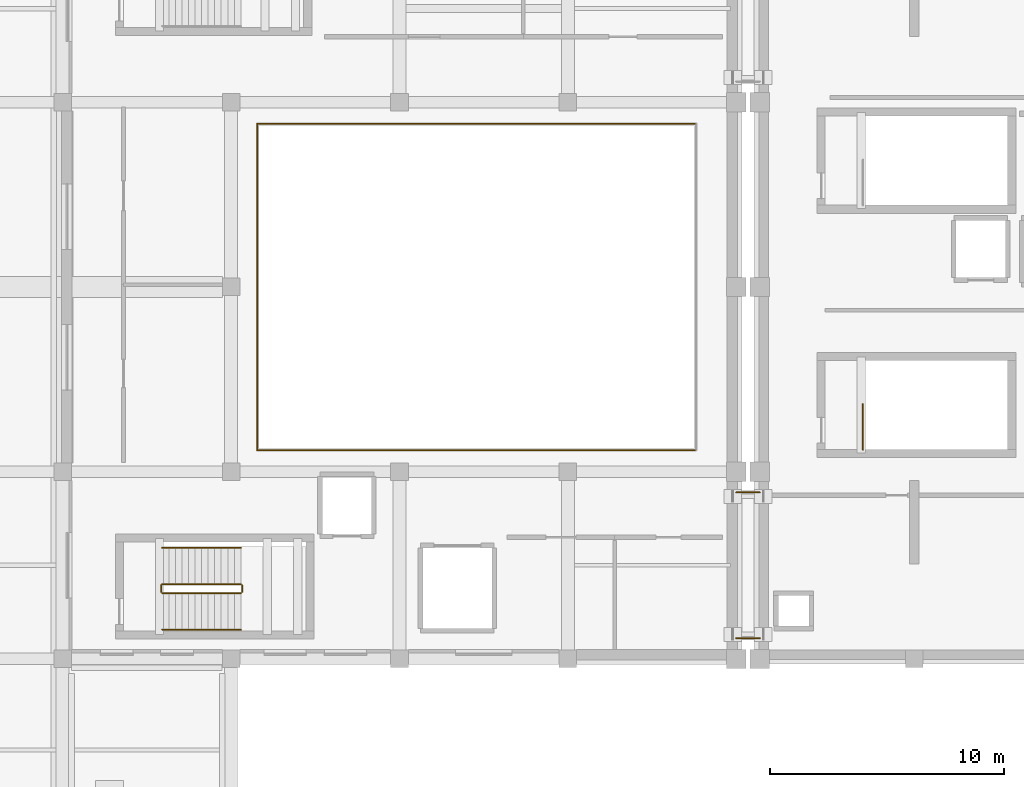
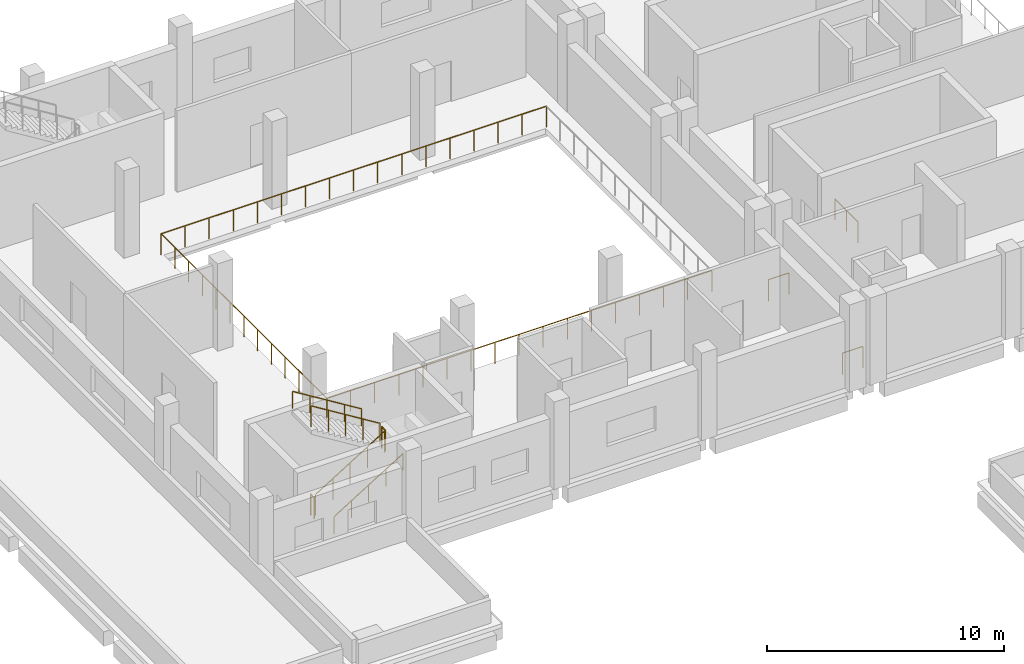
# One storey, part 20 of 23: 12 railings.
"""IFC4 building model written with IfcOpenShell, lengths in metres."""

import ifcopenshell
import ifcopenshell.guid

model = None  # the IFC model being written
_history = None  # IfcOwnerHistory: only IFC2X3 demands one
_inside = {}  # id of a spatial element -> (the spatial element, [elements in it])
_under = {}  # id of a project, library or spatial element -> (it, [spatial elements below it])
_declared = {}  # id of a project -> (the project, [libraries it declares])
_typed = {}  # id of a type object -> (the type object, [elements of that type])
_made_of = {}  # id of a material, layer set ... -> (it, [elements and type objects made of it])


def new_model(schema):
    """Start an empty IFC model of exactly this schema.

    Asked for "IFC4X3", IfcOpenShell would pick the latest addendum, in which some entities
    have other attributes; the version numbers below select the first issue.
    IFC2X3 requires an IfcOwnerHistory on every rooted entity: one is made here for all.
    """
    global model, _history
    if schema == "IFC4X3":
        model = ifcopenshell.file(schema_version=(4, 3, 0, 0))
    else:
        model = ifcopenshell.file(schema=schema)
    _inside.clear()
    _under.clear()
    _declared.clear()
    _typed.clear()
    _made_of.clear()
    _history = None
    if model.schema == "IFC2X3":
        org = make("IfcOrganization", Name="unknown")
        user = make(
            "IfcPersonAndOrganization",
            ThePerson=make("IfcPerson", FamilyName="unknown"),
            TheOrganization=org,
        )
        app = make(
            "IfcApplication",
            ApplicationDeveloper=org,
            Version="unknown",
            ApplicationFullName="unknown",
            ApplicationIdentifier="unknown",
        )
        _history = make(
            "IfcOwnerHistory",
            OwningUser=user,
            OwningApplication=app,
            ChangeAction="ADDED",
            CreationDate=0,
        )
    return model


def make(cls, **values):
    """One entity of the class cls with the attributes given. An attribute that is None is left unset."""
    return model.create_entity(
        cls, **{name: value for name, value in values.items() if value is not None}
    )


def rooted(cls, **values):
    """An entity with a GlobalId (a new one), such as an element, a storey or a relation."""
    return make(cls, GlobalId=ifcopenshell.guid.new(), OwnerHistory=_history, **values)


def si_unit(unit_type, name, prefix=None):
    """IfcSIUnit, for example si_unit("LENGTHUNIT", "METRE", prefix="MILLI")."""
    return make("IfcSIUnit", UnitType=unit_type, Prefix=prefix, Name=name)


def assignment(units):
    """IfcUnitAssignment: the units of a project."""
    return None if units is None else make("IfcUnitAssignment", Units=units)


def point(xyz):
    """IfcCartesianPoint."""
    return None if xyz is None else make("IfcCartesianPoint", Coordinates=xyz)


def direction(xyz):
    """IfcDirection."""
    return None if xyz is None else make("IfcDirection", DirectionRatios=xyz)


def frame(location, z_axis=None, x_axis=None):
    """IfcAxis2Placement3D, a coordinate frame: its origin and axes. An axis left out is left unset."""
    return make(
        "IfcAxis2Placement3D",
        Location=point(location),
        Axis=direction(z_axis),
        RefDirection=direction(x_axis),
    )


def frame_2d(location, x_axis=None):
    """IfcAxis2Placement2D, a coordinate frame in the plane: its origin and x axis."""
    return make(
        "IfcAxis2Placement2D", Location=point(location), RefDirection=direction(x_axis)
    )


def origin():
    """The frame at (0, 0, 0) with its axes left unset."""
    return frame((0.0, 0.0, 0.0))


def origin_2d():
    """The frame at (0, 0) in the plane with its x axis left unset."""
    return frame_2d((0.0, 0.0))


def place(relative_to, where):
    """IfcLocalPlacement: puts the frame where relative to a parent placement (None: the world)."""
    return make(
        "IfcLocalPlacement", PlacementRelTo=relative_to, RelativePlacement=where
    )


def context(
    kind, dimensions, precision=None, world=None, true_north=None, identifier=None
):
    """IfcGeometricRepresentationContext, for example the 3D "Model" context."""
    return make(
        "IfcGeometricRepresentationContext",
        ContextIdentifier=identifier,
        ContextType=kind,
        CoordinateSpaceDimension=dimensions,
        Precision=precision,
        WorldCoordinateSystem=world,
        TrueNorth=true_north,
    )


def subcontext(parent, identifier, kind, view, scale=None):
    """IfcGeometricRepresentationSubContext, for example "Body" below "Model"."""
    return make(
        "IfcGeometricRepresentationSubContext",
        ContextIdentifier=identifier,
        ContextType=kind,
        ParentContext=parent,
        TargetScale=scale,
        TargetView=view,
    )


def project(units=None, contexts=None):
    """IfcProject with its units and contexts."""
    return rooted(
        "IfcProject",
        Name="project",
        RepresentationContexts=contexts,
        UnitsInContext=assignment(units),
    )


def spatial(cls, under=None, at=None, **own):
    """A site, building, storey or space (cls), placed at a placement, below another one or the project."""
    s = rooted(cls, ObjectPlacement=at, **own)
    if under is not None:
        _under.setdefault(under.id(), (under, []))[1].append(s)
    return s


def profile(cls, at=None, kind="AREA", **sizes):
    """A parametric profile (cls). Its sizes go by their IFC names, for example OverallWidth=200.0."""
    return make(cls, ProfileType=kind, Position=at, **sizes)


def circle(**sizes):
    """IfcCircleProfileDef."""
    return profile("IfcCircleProfileDef", **sizes)


def extrude(swept, where, along, depth):
    """IfcExtrudedAreaSolid: the profile swept, set in the frame where, extruded along a direction by depth."""
    return make(
        "IfcExtrudedAreaSolid",
        SweptArea=swept,
        Position=where,
        ExtrudedDirection=direction(along),
        Depth=depth,
    )


def shape(context_of_items, identifier, shape_type, items):
    """IfcShapeRepresentation: the items that make up one representation, for example the "Body"."""
    return make(
        "IfcShapeRepresentation",
        ContextOfItems=context_of_items,
        RepresentationIdentifier=identifier,
        RepresentationType=shape_type,
        Items=items,
    )


def material(Name=None, Category=None):
    """IfcMaterial."""
    return make("IfcMaterial", Name=Name, Category=Category)


def made_of(thing, what):
    """Note that an element or type object is made of a material, layer set ...; save() writes the relation."""
    if what is not None:
        _made_of.setdefault(what.id(), (what, []))[1].append(thing)
    return thing


def type_object(cls, material=None, **own):
    """A type object (cls), such as IfcWallType, which elements share."""
    return made_of(rooted(cls, **own), material)


def element(
    cls,
    number,
    at=None,
    inside=None,
    cuts=None,
    type_object=None,
    material=None,
    context=None,
    identifier="Body",
    shape_type=None,
    held_by="IfcProductDefinitionShape",
    body=None,
    shapes=None,
    **own,
):
    """One element of the class cls, such as IfcWall. Its Tag is "e" and its number.

    at: its placement. inside: the storey or other place that contains it. cuts: it is an
    opening in that element (IfcRelVoidsElement). A single representation is given by context,
    identifier, shape_type and body (its items); several are given by shapes. held_by: the class
    of the entity that holds the representations. save() writes the other relations.
    """
    e = rooted(cls, Tag="e%d" % number, ObjectPlacement=at, **own)
    if body is not None:
        shapes = [shape(context, identifier, shape_type, body)]
    if shapes is not None:
        e.Representation = make(held_by, Representations=shapes)
    if inside is not None:
        _inside.setdefault(inside.id(), (inside, []))[1].append(e)
    if cuts is not None:
        rooted(
            "IfcRelVoidsElement", RelatingBuildingElement=cuts, RelatedOpeningElement=e
        )
    if type_object is not None:
        _typed.setdefault(type_object.id(), (type_object, []))[1].append(e)
    return made_of(e, material)


def aggregate(whole, parts):
    """IfcRelAggregates: a whole, such as a stair, and the parts it consists of."""
    return rooted("IfcRelAggregates", RelatingObject=whole, RelatedObjects=parts)


def save(model, path):
    """Write the relations noted so far, then the file.

    IfcRelAggregates (storeys below a building ...), IfcRelContainedInSpatialStructure (elements
    in a storey), IfcRelDefinesByType, IfcRelAssociatesMaterial and IfcRelDeclares: one each for
    every whole, place, type object, material and project.
    """
    for whole, parts in _under.values():
        aggregate(whole, parts)
    for where, things in _inside.values():
        rooted(
            "IfcRelContainedInSpatialStructure",
            RelatedElements=things,
            RelatingStructure=where,
        )
    for kind, things in _typed.values():
        rooted("IfcRelDefinesByType", RelatedObjects=things, RelatingType=kind)
    for what, things in _made_of.values():
        rooted("IfcRelAssociatesMaterial", RelatedObjects=things, RelatingMaterial=what)
    for by, libraries in _declared.values():
        rooted("IfcRelDeclares", RelatingContext=by, RelatedDefinitions=libraries)
    model.write(path)


model = new_model("IFC4")

# Units and contexts
model_context = context("Model", 3, precision=1e-05, world=origin(), true_north=direction((0.0, 1.0)))
body_context = subcontext(model_context, "Body", "Model", "MODEL_VIEW")
ifc_project = project(units=[si_unit("LENGTHUNIT", "METRE"), si_unit("AREAUNIT", "SQUARE_METRE"), si_unit("VOLUMEUNIT", "CUBIC_METRE"), si_unit("PLANEANGLEUNIT", "RADIAN"), si_unit("MASSUNIT", "GRAM", prefix="KILO")], contexts=[model_context])

# Site, building, storey
site_placement = place(None, origin())
site = spatial("IfcSite", under=ifc_project, at=site_placement, CompositionType="ELEMENT")
building_placement = place(site_placement, origin())
building = spatial("IfcBuilding", under=site, at=building_placement, Name="Kelarvand Opera House", CompositionType="ELEMENT")
storey_placement = place(building_placement, frame((0.0, 0.0, 19.5)))
storey = spatial("IfcBuildingStorey", under=building, at=storey_placement, Name="L04", CompositionType="ELEMENT", Elevation=19.5)

# Railings
ifc_material_1 = material(Name="Brushed bronze tubular rail")
railing_type_1 = type_object("IfcRailingType", Name="Brushed Bronze Stair Wall Handrail 900", PredefinedType="HANDRAIL", material=ifc_material_1)
railing_1_placement = place(storey_placement, frame((63.4599609375, 47.85009765625, 0.173095703125)))
element("IfcRailing", 1, at=railing_1_placement, inside=storey, type_object=railing_type_1, Name="L04 ST-02 stair handrail 1", PredefinedType="HANDRAIL", context=body_context, shape_type="SweptSolid", body=[
    extrude(circle(Radius=0.02392578125, at=origin_2d()), frame((0.0, 0.0, 0.8759765625), z_axis=(0.850623216509, 0.0, 0.525775754039), x_axis=(0.0, 1.0, 0.0)), (0.0, 0.0, 1.0), 3.9501953125),
    extrude(circle(Radius=0.02099609375, at=origin_2d()), origin(), (0.0, 0.0, 1.0), 0.851806640625),
    extrude(circle(Radius=0.02099609375, at=origin_2d()), frame((0.840087890625, 0.0, 0.519287109375)), (0.0, 0.0, 1.0), 0.851806640625),
    extrude(circle(Radius=0.02099609375, at=origin_2d()), frame((1.68017578125, 0.0, 1.03857421875)), (0.0, 0.0, 1.0), 0.851806640625),
    extrude(circle(Radius=0.02099609375, at=origin_2d()), frame((2.52001953125, 0.0, 1.5576171875)), (0.0, 0.0, 1.0), 0.851806640625),
    extrude(circle(Radius=0.02099609375, at=origin_2d()), frame((3.360107421875, 0.0, 2.076904296875)), (0.0, 0.0, 1.0), 0.851806640625),
])
railing_2_placement = place(storey_placement, frame((66.820068359375, 51.35009765625, 2.423095703125)))
element("IfcRailing", 2, at=railing_2_placement, inside=storey, type_object=railing_type_1, Name="L04 ST-02 stair handrail 2", PredefinedType="HANDRAIL", context=body_context, shape_type="SweptSolid", body=[
    extrude(circle(Radius=0.02392578125, at=origin_2d()), frame((0.0, 0.0, 0.8759765625), z_axis=(-0.850623216509, 0.0, 0.525775754039), x_axis=(0.0, -1.0, 0.0)), (0.0, 0.0, 1.0), 3.9501953125),
    extrude(circle(Radius=0.02099609375, at=origin_2d()), origin(), (0.0, 0.0, 1.0), 0.851806640625),
    extrude(circle(Radius=0.02099609375, at=origin_2d()), frame((-0.840087890625, 0.0, 0.519287109375)), (0.0, 0.0, 1.0), 0.851806640625),
    extrude(circle(Radius=0.02099609375, at=origin_2d()), frame((-1.68017578125, 0.0, 1.03857421875)), (0.0, 0.0, 1.0), 0.851806640625),
    extrude(circle(Radius=0.02099609375, at=origin_2d()), frame((-2.52001953125, 0.0, 1.5576171875)), (0.0, 0.0, 1.0), 0.851806640625),
    extrude(circle(Radius=0.02099609375, at=origin_2d()), frame((-3.360107421875, 0.0, 2.076904296875)), (0.0, 0.0, 1.0), 0.851806640625),
])
ifc_material_2 = material(Name="Laminated safety glass with bronze cap rail", Category="glass")
railing_type_2 = type_object("IfcRailingType", Name="Laminated Glass and Bronze Foyer Balustrade 1120", PredefinedType="BALUSTRADE", material=ifc_material_2)
for number, where, name in (
    (3, (88.0, 47.47998046875, 0.0), "V1 L04 Balustrade 155"),
    (4, (88.0, 53.719970703125, 0.0), "V1 L04 Balustrade 156"),
):
    element("IfcRailing", number, at=place(storey_placement, frame(where)), inside=storey, type_object=railing_type_2, Name=name, PredefinedType="BALUSTRADE", context=body_context, shape_type="SweptSolid", body=[
        extrude(circle(Radius=0.02392578125, at=origin_2d()), frame((0.0, 0.0, 1.09619140625), z_axis=(1.0, 0.0, 0.0), x_axis=(0.0, 1.0, 0.0)), (0.0, 0.0, 1.0), 1.0),
        extrude(circle(Radius=0.02099609375, at=origin_2d()), origin(), (0.0, 0.0, 1.0), 1.072021484375),
        extrude(circle(Radius=0.02099609375, at=origin_2d()), frame((1.0, 0.0, 0.0)), (0.0, 0.0, 1.0), 1.072021484375),
    ])
ifc_material_3 = material(Name="Powder-coated Steel S355", Category="steel")
railing_type_3 = type_object("IfcRailingType", Name="Painted Steel Stair and Void Guardrail 1100", PredefinedType="GUARDRAIL", material=ifc_material_3)
railing_3_placement = place(storey_placement, frame((63.4599609375, 49.409912109375, 0.173095703125)))
element("IfcRailing", 5, at=railing_3_placement, inside=storey, type_object=railing_type_3, Name="L04 ST-02 stair guard 1", PredefinedType="GUARDRAIL", context=body_context, shape_type="SweptSolid", body=[
    extrude(circle(Radius=0.02392578125, at=origin_2d()), frame((0.0, 0.0, 1.076171875), z_axis=(0.850623216509, 0.0, 0.525775754039), x_axis=(0.0, 1.0, 0.0)), (0.0, 0.0, 1.0), 3.9501953125),
    extrude(circle(Radius=0.02099609375, at=origin_2d()), origin(), (0.0, 0.0, 1.0), 1.052001953125),
    extrude(circle(Radius=0.02099609375, at=origin_2d()), frame((0.840087890625, 0.0, 0.519287109375)), (0.0, 0.0, 1.0), 1.052001953125),
    extrude(circle(Radius=0.02099609375, at=origin_2d()), frame((1.68017578125, 0.0, 1.03857421875)), (0.0, 0.0, 1.0), 1.052001953125),
    extrude(circle(Radius=0.02099609375, at=origin_2d()), frame((2.52001953125, 0.0, 1.5576171875)), (0.0, 0.0, 1.0), 1.052001953125),
    extrude(circle(Radius=0.02099609375, at=origin_2d()), frame((3.360107421875, 0.0, 2.076904296875)), (0.0, 0.0, 1.0), 1.052001953125),
])
railing_4_placement = place(storey_placement, frame((66.8701171875, 49.4599609375, 2.25)))
element("IfcRailing", 6, at=railing_4_placement, inside=storey, type_object=railing_type_3, Name="L04 ST-02 stair guard 2", PredefinedType="GUARDRAIL", context=body_context, shape_type="SweptSolid", body=[
    extrude(circle(Radius=0.02392578125, at=origin_2d()), frame((0.0, 0.0, 1.076171875), z_axis=(0.0, 1.0, 0.0), x_axis=(-1.0, 0.0, 0.0)), (0.0, 0.0, 1.0), 0.280029296875),
    extrude(circle(Radius=0.02099609375, at=origin_2d()), origin(), (0.0, 0.0, 1.0), 1.052001953125),
    extrude(circle(Radius=0.02099609375, at=origin_2d()), frame((0.0, 0.280029296875, 0.0)), (0.0, 0.0, 1.0), 1.052001953125),
])
railing_5_placement = place(storey_placement, frame((66.820068359375, 49.7900390625, 2.423095703125)))
element("IfcRailing", 7, at=railing_5_placement, inside=storey, type_object=railing_type_3, Name="L04 ST-02 stair guard 3", PredefinedType="GUARDRAIL", context=body_context, shape_type="SweptSolid", body=[
    extrude(circle(Radius=0.02392578125, at=origin_2d()), frame((0.0, 0.0, 1.076171875), z_axis=(-0.850623216509, 0.0, 0.525775754039), x_axis=(0.0, -1.0, 0.0)), (0.0, 0.0, 1.0), 3.9501953125),
    extrude(circle(Radius=0.02099609375, at=origin_2d()), origin(), (0.0, 0.0, 1.0), 1.052001953125),
    extrude(circle(Radius=0.02099609375, at=origin_2d()), frame((-0.840087890625, 0.0, 0.519287109375)), (0.0, 0.0, 1.0), 1.052001953125),
    extrude(circle(Radius=0.02099609375, at=origin_2d()), frame((-1.68017578125, 0.0, 1.03857421875)), (0.0, 0.0, 1.0), 1.052001953125),
    extrude(circle(Radius=0.02099609375, at=origin_2d()), frame((-2.52001953125, 0.0, 1.5576171875)), (0.0, 0.0, 1.0), 1.052001953125),
    extrude(circle(Radius=0.02099609375, at=origin_2d()), frame((-3.360107421875, 0.0, 2.076904296875)), (0.0, 0.0, 1.0), 1.052001953125),
])
railing_6_placement = place(storey_placement, frame((63.409912109375, 49.4599609375, 0.0)))
element("IfcRailing", 8, at=railing_6_placement, inside=storey, type_object=railing_type_3, Name="L04 ST-02 stair guard 4", PredefinedType="GUARDRAIL", context=body_context, shape_type="SweptSolid", body=[
    extrude(circle(Radius=0.02392578125, at=origin_2d()), frame((0.0, 0.0, 1.076171875), z_axis=(0.0, 1.0, 0.0), x_axis=(-1.0, 0.0, 0.0)), (0.0, 0.0, 1.0), 0.280029296875),
    extrude(circle(Radius=0.02099609375, at=origin_2d()), origin(), (0.0, 0.0, 1.0), 1.052001953125),
    extrude(circle(Radius=0.02099609375, at=origin_2d()), frame((0.0, 0.280029296875, 0.0)), (0.0, 0.0, 1.0), 1.052001953125),
])
railing_7_placement = place(storey_placement, frame((93.409912109375, 55.550048828125, 0.0)))
element("IfcRailing", 9, at=railing_7_placement, inside=storey, type_object=railing_type_3, Name="L04 ST-04 top well guard 1", PredefinedType="GUARDRAIL", context=body_context, shape_type="SweptSolid", body=[
    extrude(circle(Radius=0.02392578125, at=origin_2d()), frame((0.0, 0.0, 1.076171875), z_axis=(0.0, 1.0, 0.0), x_axis=(-1.0, 0.0, 0.0)), (0.0, 0.0, 1.0), 1.93994140625),
    extrude(circle(Radius=0.02099609375, at=origin_2d()), origin(), (0.0, 0.0, 1.0), 1.052001953125),
    extrude(circle(Radius=0.02099609375, at=origin_2d()), frame((0.0, 0.969970703125, 0.0)), (0.0, 0.0, 1.0), 1.052001953125),
    extrude(circle(Radius=0.02099609375, at=origin_2d()), frame((0.0, 1.93994140625, 0.0)), (0.0, 0.0, 1.0), 1.052001953125),
])
railing_8_placement = place(storey_placement, frame((86.280029296875, 55.52001953125, 0.0)))
element("IfcRailing", 10, at=railing_8_placement, inside=storey, type_object=railing_type_3, Name="V2 L04 Guardrail 106", PredefinedType="GUARDRAIL", context=body_context, shape_type="SweptSolid", body=[
    extrude(circle(Radius=0.02392578125, at=origin_2d()), frame((0.0, 0.0, 1.076171875), z_axis=(-1.0, 0.0, 0.0), x_axis=(0.0, -1.0, 0.0)), (0.0, 0.0, 1.0), 18.760009765625),
    extrude(circle(Radius=0.02099609375, at=origin_2d()), origin(), (0.0, 0.0, 1.0), 1.052001953125),
    extrude(circle(Radius=0.02099609375, at=origin_2d()), frame((-1.172607421875, 0.0, 0.0)), (0.0, 0.0, 1.0), 1.052001953125),
    extrude(circle(Radius=0.02099609375, at=origin_2d()), frame((-2.344970703125, 0.0, 0.0)), (0.0, 0.0, 1.0), 1.052001953125),
    extrude(circle(Radius=0.02099609375, at=origin_2d()), frame((-3.517578125, 0.0, 0.0)), (0.0, 0.0, 1.0), 1.052001953125),
    extrude(circle(Radius=0.02099609375, at=origin_2d()), frame((-4.68994140625, 0.0, 0.0)), (0.0, 0.0, 1.0), 1.052001953125),
    extrude(circle(Radius=0.02099609375, at=origin_2d()), frame((-5.862548828125, 0.0, 0.0)), (0.0, 0.0, 1.0), 1.052001953125),
    extrude(circle(Radius=0.02099609375, at=origin_2d()), frame((-7.034912109375, 0.0, 0.0)), (0.0, 0.0, 1.0), 1.052001953125),
    extrude(circle(Radius=0.02099609375, at=origin_2d()), frame((-8.20751953125, 0.0, 0.0)), (0.0, 0.0, 1.0), 1.052001953125),
    extrude(circle(Radius=0.02099609375, at=origin_2d()), frame((-9.3798828125, 0.0, 0.0)), (0.0, 0.0, 1.0), 1.052001953125),
    extrude(circle(Radius=0.02099609375, at=origin_2d()), frame((-10.552490234375, 0.0, 0.0)), (0.0, 0.0, 1.0), 1.052001953125),
    extrude(circle(Radius=0.02099609375, at=origin_2d()), frame((-11.72509765625, 0.0, 0.0)), (0.0, 0.0, 1.0), 1.052001953125),
    extrude(circle(Radius=0.02099609375, at=origin_2d()), frame((-12.8974609375, 0.0, 0.0)), (0.0, 0.0, 1.0), 1.052001953125),
    extrude(circle(Radius=0.02099609375, at=origin_2d()), frame((-14.070068359375, 0.0, 0.0)), (0.0, 0.0, 1.0), 1.052001953125),
    extrude(circle(Radius=0.02099609375, at=origin_2d()), frame((-15.242431640625, 0.0, 0.0)), (0.0, 0.0, 1.0), 1.052001953125),
    extrude(circle(Radius=0.02099609375, at=origin_2d()), frame((-16.4150390625, 0.0, 0.0)), (0.0, 0.0, 1.0), 1.052001953125),
    extrude(circle(Radius=0.02099609375, at=origin_2d()), frame((-17.58740234375, 0.0, 0.0)), (0.0, 0.0, 1.0), 1.052001953125),
    extrude(circle(Radius=0.02099609375, at=origin_2d()), frame((-18.760009765625, 0.0, 0.0)), (0.0, 0.0, 1.0), 1.052001953125),
])
railing_9_placement = place(storey_placement, frame((67.52001953125, 55.52001953125, 0.0)))
element("IfcRailing", 11, at=railing_9_placement, inside=storey, type_object=railing_type_3, Name="V2 L04 Guardrail 107", PredefinedType="GUARDRAIL", context=body_context, shape_type="SweptSolid", body=[
    extrude(circle(Radius=0.02392578125, at=origin_2d()), frame((0.0, 0.0, 1.076171875), z_axis=(0.0, 1.0, 0.0), x_axis=(-1.0, 0.0, 0.0)), (0.0, 0.0, 1.0), 13.9599609375),
    extrude(circle(Radius=0.02099609375, at=origin_2d()), origin(), (0.0, 0.0, 1.0), 1.052001953125),
    extrude(circle(Radius=0.02099609375, at=origin_2d()), frame((0.0, 1.163330078125, 0.0)), (0.0, 0.0, 1.0), 1.052001953125),
    extrude(circle(Radius=0.02099609375, at=origin_2d()), frame((0.0, 2.32666015625, 0.0)), (0.0, 0.0, 1.0), 1.052001953125),
    extrude(circle(Radius=0.02099609375, at=origin_2d()), frame((0.0, 3.489990234375, 0.0)), (0.0, 0.0, 1.0), 1.052001953125),
    extrude(circle(Radius=0.02099609375, at=origin_2d()), frame((0.0, 4.6533203125, 0.0)), (0.0, 0.0, 1.0), 1.052001953125),
    extrude(circle(Radius=0.02099609375, at=origin_2d()), frame((0.0, 5.816650390625, 0.0)), (0.0, 0.0, 1.0), 1.052001953125),
    extrude(circle(Radius=0.02099609375, at=origin_2d()), frame((0.0, 6.97998046875, 0.0)), (0.0, 0.0, 1.0), 1.052001953125),
    extrude(circle(Radius=0.02099609375, at=origin_2d()), frame((0.0, 8.143310546875, 0.0)), (0.0, 0.0, 1.0), 1.052001953125),
    extrude(circle(Radius=0.02099609375, at=origin_2d()), frame((0.0, 9.306640625, 0.0)), (0.0, 0.0, 1.0), 1.052001953125),
    extrude(circle(Radius=0.02099609375, at=origin_2d()), frame((0.0, 10.469970703125, 0.0)), (0.0, 0.0, 1.0), 1.052001953125),
    extrude(circle(Radius=0.02099609375, at=origin_2d()), frame((0.0, 11.63330078125, 0.0)), (0.0, 0.0, 1.0), 1.052001953125),
    extrude(circle(Radius=0.02099609375, at=origin_2d()), frame((0.0, 12.796630859375, 0.0)), (0.0, 0.0, 1.0), 1.052001953125),
    extrude(circle(Radius=0.02099609375, at=origin_2d()), frame((0.0, 13.9599609375, 0.0)), (0.0, 0.0, 1.0), 1.052001953125),
])
railing_10_placement = place(storey_placement, frame((67.52001953125, 69.47998046875, 0.0)))
element("IfcRailing", 12, at=railing_10_placement, inside=storey, type_object=railing_type_3, Name="V2 L04 Guardrail 108", PredefinedType="GUARDRAIL", context=body_context, shape_type="SweptSolid", body=[
    extrude(circle(Radius=0.02392578125, at=origin_2d()), frame((0.0, 0.0, 1.076171875), z_axis=(1.0, 0.0, 0.0), x_axis=(0.0, 1.0, 0.0)), (0.0, 0.0, 1.0), 18.760009765625),
    extrude(circle(Radius=0.02099609375, at=origin_2d()), origin(), (0.0, 0.0, 1.0), 1.052001953125),
    extrude(circle(Radius=0.02099609375, at=origin_2d()), frame((1.172607421875, 0.0, 0.0)), (0.0, 0.0, 1.0), 1.052001953125),
    extrude(circle(Radius=0.02099609375, at=origin_2d()), frame((2.344970703125, 0.0, 0.0)), (0.0, 0.0, 1.0), 1.052001953125),
    extrude(circle(Radius=0.02099609375, at=origin_2d()), frame((3.517578125, 0.0, 0.0)), (0.0, 0.0, 1.0), 1.052001953125),
    extrude(circle(Radius=0.02099609375, at=origin_2d()), frame((4.68994140625, 0.0, 0.0)), (0.0, 0.0, 1.0), 1.052001953125),
    extrude(circle(Radius=0.02099609375, at=origin_2d()), frame((5.862548828125, 0.0, 0.0)), (0.0, 0.0, 1.0), 1.052001953125),
    extrude(circle(Radius=0.02099609375, at=origin_2d()), frame((7.034912109375, 0.0, 0.0)), (0.0, 0.0, 1.0), 1.052001953125),
    extrude(circle(Radius=0.02099609375, at=origin_2d()), frame((8.20751953125, 0.0, 0.0)), (0.0, 0.0, 1.0), 1.052001953125),
    extrude(circle(Radius=0.02099609375, at=origin_2d()), frame((9.3798828125, 0.0, 0.0)), (0.0, 0.0, 1.0), 1.052001953125),
    extrude(circle(Radius=0.02099609375, at=origin_2d()), frame((10.552490234375, 0.0, 0.0)), (0.0, 0.0, 1.0), 1.052001953125),
    extrude(circle(Radius=0.02099609375, at=origin_2d()), frame((11.72509765625, 0.0, 0.0)), (0.0, 0.0, 1.0), 1.052001953125),
    extrude(circle(Radius=0.02099609375, at=origin_2d()), frame((12.8974609375, 0.0, 0.0)), (0.0, 0.0, 1.0), 1.052001953125),
    extrude(circle(Radius=0.02099609375, at=origin_2d()), frame((14.070068359375, 0.0, 0.0)), (0.0, 0.0, 1.0), 1.052001953125),
    extrude(circle(Radius=0.02099609375, at=origin_2d()), frame((15.242431640625, 0.0, 0.0)), (0.0, 0.0, 1.0), 1.052001953125),
    extrude(circle(Radius=0.02099609375, at=origin_2d()), frame((16.4150390625, 0.0, 0.0)), (0.0, 0.0, 1.0), 1.052001953125),
    extrude(circle(Radius=0.02099609375, at=origin_2d()), frame((17.58740234375, 0.0, 0.0)), (0.0, 0.0, 1.0), 1.052001953125),
    extrude(circle(Radius=0.02099609375, at=origin_2d()), frame((18.760009765625, 0.0, 0.0)), (0.0, 0.0, 1.0), 1.052001953125),
])

save(model, "model.ifc")
